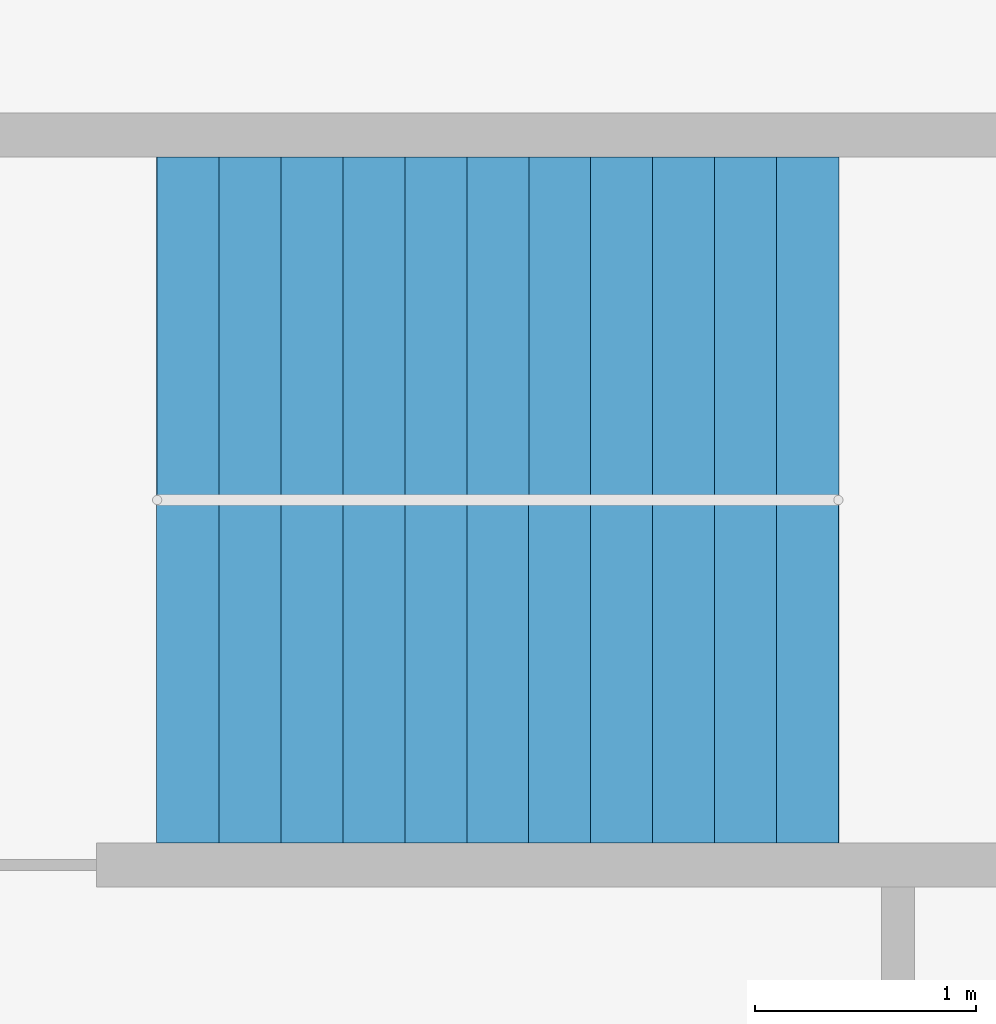
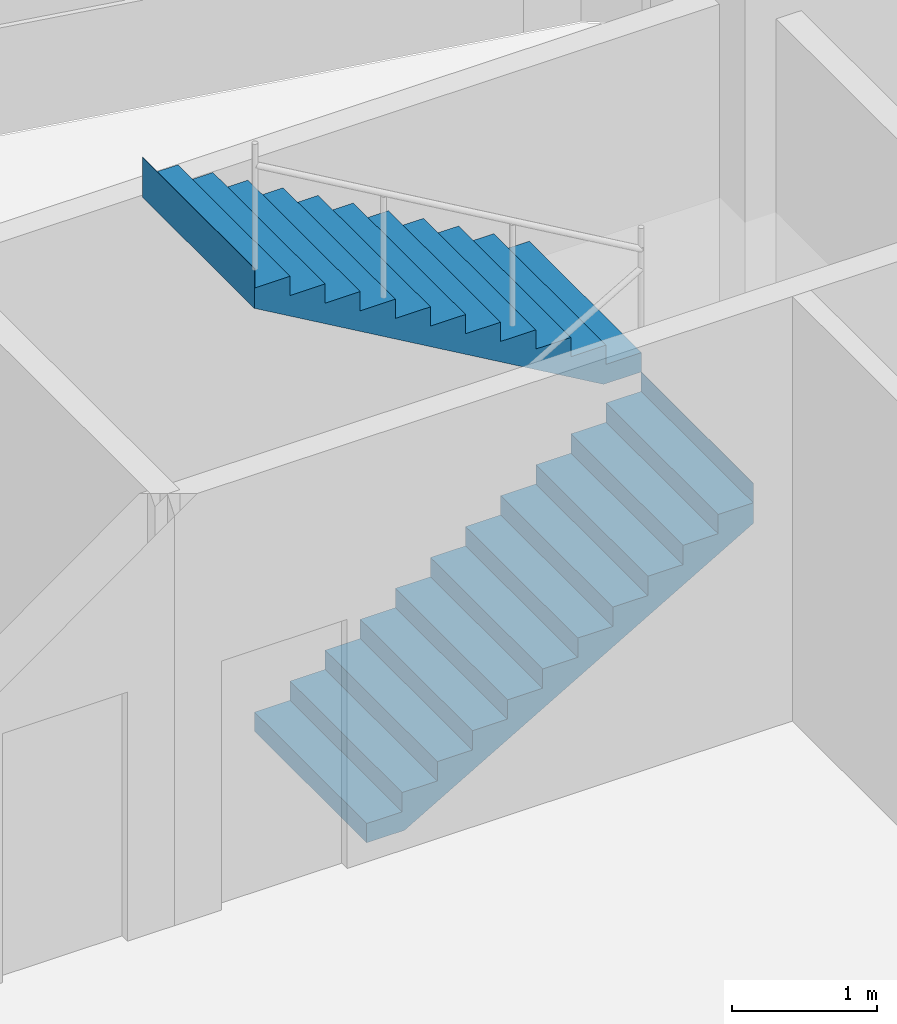
# One storey, part 8 of 10: 2 stair flights, 1 element without a shape of its own.
"""IFC4 building model written with IfcOpenShell, lengths in metres."""

from ifc_helpers import new_model, si_unit, direction, frame, origin, place, context, subcontext, project, spatial, polyline, outline, extrude, material, type_object, element, aggregate, save


model = new_model("IFC4")

# Units and contexts
model_context = context("Model", 3, precision=1e-05, world=origin(), true_north=direction((0.0, 1.0)))
body_context = subcontext(model_context, "Body", "Model", "MODEL_VIEW")
ifc_project = project(units=[si_unit("LENGTHUNIT", "METRE"), si_unit("AREAUNIT", "SQUARE_METRE"), si_unit("VOLUMEUNIT", "CUBIC_METRE"), si_unit("PLANEANGLEUNIT", "RADIAN"), si_unit("MASSUNIT", "GRAM", prefix="KILO")], contexts=[model_context])

# Site, building, storey
site_placement = place(None, origin())
site = spatial("IfcSite", under=ifc_project, at=site_placement, CompositionType="ELEMENT")
building_placement = place(site_placement, origin())
building = spatial("IfcBuilding", under=site, at=building_placement, Name="Qaws Garden Tower", CompositionType="ELEMENT")
storey_placement = place(building_placement, frame((0.0, 0.0, 182.39990234375)))
storey = spatial("IfcBuildingStorey", under=building, at=storey_placement, Name="L44", CompositionType="ELEMENT", Elevation=182.39990234375)

# Stair, stair flights
ifc_material_1 = material(Name="Concrete C40", Category="concrete")
stair_type = type_object("IfcStairType", Name="Exit stair 1350", PredefinedType="HALF_TURN_STAIR", material=ifc_material_1)
stair_placement = place(storey_placement, origin())
stair = element("IfcStair", 1, at=stair_placement, inside=storey, type_object=stair_type, Name="Stair 7", PredefinedType="HALF_TURN_STAIR")
ifc_material_2 = material(Name="Concrete C40", Category="concrete")
stair_flight_type = type_object("IfcStairFlightType", Name="Stair flight 1350", PredefinedType="STRAIGHT", material=ifc_material_2)
stair_flight_1_placement = place(storey_placement, frame((14.75, 67.375, 0.0), z_axis=(0.0, 0.0, 1.0), x_axis=(1.0, 0.0, 0.0)))
stair_flight_1 = element("IfcStairFlight", 2, at=stair_flight_1_placement, type_object=stair_flight_type, Name="ST7 flight 1", NumberOfRisers=12, NumberOfTreads=11, PredefinedType="STRAIGHT", RiserHeight=0.1625, TreadLength=0.28, context=body_context, shape_type="SweptSolid", body=[
    extrude(outline(polyline([(-0.0029296875, 0.0), (-0.0029296875, 0.16259765625), (0.0, 0.16259765625), (0.280029296875, 0.16259765625), (0.280029296875, 0.324951171875), (0.56005859375, 0.324951171875), (0.56005859375, 0.487548828125), (0.840087890625, 0.487548828125), (0.840087890625, 0.64990234375), (1.1201171875, 0.64990234375), (1.1201171875, 0.8125), (1.39990234375, 0.8125), (1.39990234375, 0.97509765625), (1.679931640625, 0.97509765625), (1.679931640625, 1.137451171875), (1.9599609375, 1.137451171875), (1.9599609375, 1.300048828125), (2.239990234375, 1.300048828125), (2.239990234375, 1.46240234375), (2.52001953125, 1.46240234375), (2.52001953125, 1.625), (2.800048828125, 1.625), (2.800048828125, 1.78759765625), (3.080078125, 1.78759765625), (3.080078125, 1.949951171875), (3.0830078125, 1.949951171875), (3.0830078125, 1.6142578125), (3.080078125, 1.6142578125), (0.298583984375, 0.0), (-0.0029296875, 0.0)])), frame((0.0, 0.77490234375, 0.0), z_axis=(0.0, -1.0, 0.0), x_axis=(1.0, 0.0, 0.0)), (0.0, 0.0, 1.0), 1.550048828125),
])
stair_flight_2_placement = place(storey_placement, frame((17.830078125, 68.925048828125, 1.9501953125), z_axis=(0.0, 0.0, 1.0), x_axis=(-1.0, 0.0, 0.0)))
stair_flight_2 = element("IfcStairFlight", 3, at=stair_flight_2_placement, type_object=stair_flight_type, Name="ST7 flight 2", NumberOfRisers=12, NumberOfTreads=11, PredefinedType="STRAIGHT", RiserHeight=0.1625, TreadLength=0.28, context=body_context, shape_type="SweptSolid", body=[
    extrude(outline(polyline([(-0.0029296875, 0.0), (-0.0029296875, 0.16259765625), (0.0, 0.16259765625), (0.280029296875, 0.16259765625), (0.280029296875, 0.324951171875), (0.56005859375, 0.324951171875), (0.56005859375, 0.487548828125), (0.840087890625, 0.487548828125), (0.840087890625, 0.64990234375), (1.1201171875, 0.64990234375), (1.1201171875, 0.8125), (1.39990234375, 0.8125), (1.39990234375, 0.97509765625), (1.679931640625, 0.97509765625), (1.679931640625, 1.137451171875), (1.9599609375, 1.137451171875), (1.9599609375, 1.300048828125), (2.239990234375, 1.300048828125), (2.239990234375, 1.46240234375), (2.52001953125, 1.46240234375), (2.52001953125, 1.625), (2.800048828125, 1.625), (2.800048828125, 1.78759765625), (3.080078125, 1.78759765625), (3.080078125, 1.949951171875), (3.0830078125, 1.949951171875), (3.0830078125, 1.6142578125), (3.080078125, 1.6142578125), (0.298583984375, 0.0), (-0.0029296875, 0.0)])), frame((0.0, 0.77490234375, 0.0), z_axis=(0.0, -1.0, 0.0), x_axis=(1.0, 0.0, 0.0)), (0.0, 0.0, 1.0), 1.550048828125),
])
aggregate(stair, [stair_flight_1, stair_flight_2])

save(model, "model.ifc")
